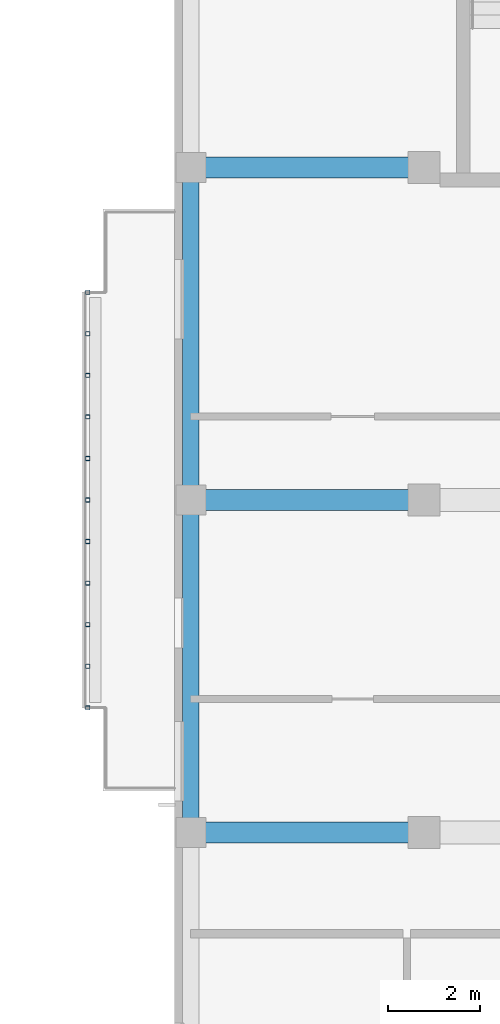
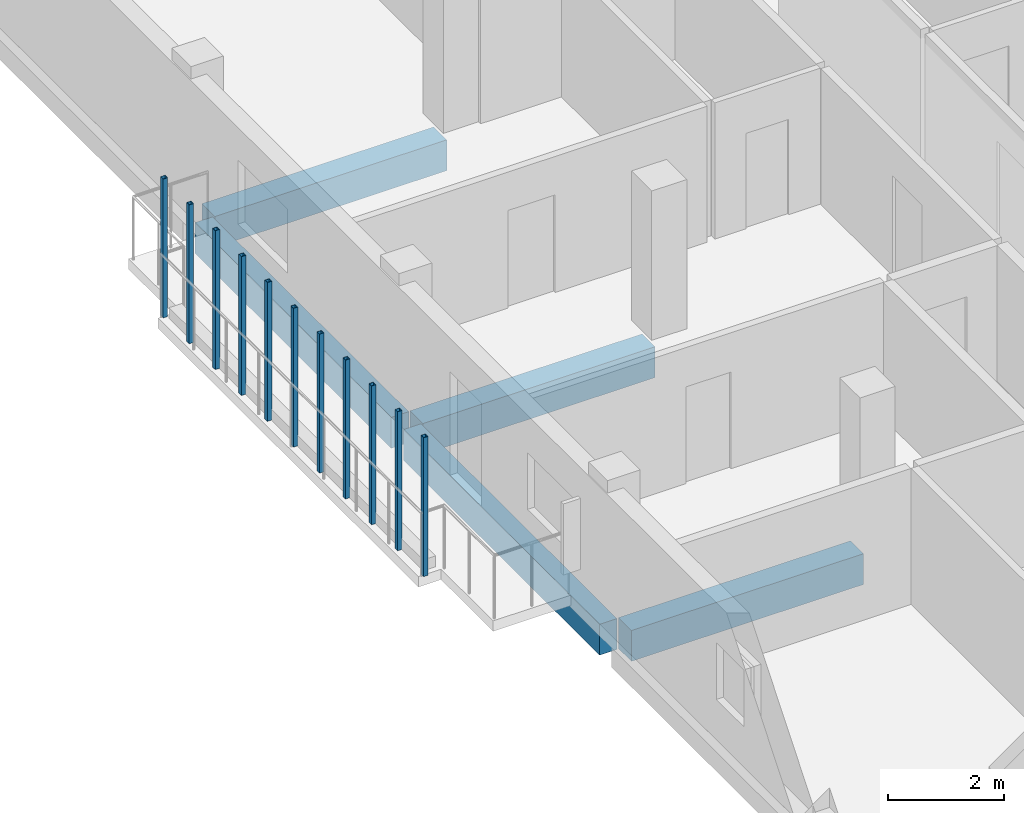
# One storey, part 19 of 51: 11 members, 5 beams.
"""IFC4 building model written with IfcOpenShell, lengths in metres."""

from ifc_helpers import new_model, si_unit, derived_unit, direction, frame, origin, origin_2d, place, context, subcontext, project, spatial, rectangle, hollow_rectangle, extrude, material, material_profile, profile_set, type_object, element, save


model = new_model("IFC4")

# Units and contexts
model_context = context("Model", 3, precision=1e-05, world=origin(), true_north=direction((0.0, 1.0)))
body_context = subcontext(model_context, "Body", "Model", "MODEL_VIEW")
ifc_project = project(units=[si_unit("LENGTHUNIT", "METRE"), si_unit("AREAUNIT", "SQUARE_METRE"), si_unit("VOLUMEUNIT", "CUBIC_METRE"), si_unit("PLANEANGLEUNIT", "RADIAN"), si_unit("MASSUNIT", "GRAM", prefix="KILO"), derived_unit("THERMALTRANSMITTANCEUNIT", [(si_unit("MASSUNIT", "GRAM", prefix="KILO"), 1), (si_unit("TIMEUNIT", "SECOND"), -3), (si_unit("THERMODYNAMICTEMPERATUREUNIT", "KELVIN"), -1)])], contexts=[model_context])

# Site, building, storey
site_placement = place(None, origin())
site = spatial("IfcSite", under=ifc_project, at=site_placement, CompositionType="ELEMENT")
building_placement = place(site_placement, origin())
building = spatial("IfcBuilding", under=site, at=building_placement, Name="Ochrekiln Boulevard Commons", CompositionType="ELEMENT")
storey_placement = place(building_placement, frame((0.0, 0.0, 18.375)))
storey = spatial("IfcBuildingStorey", under=building, at=storey_placement, Name="L05", CompositionType="ELEMENT", Elevation=18.375)

# Beams
ifc_material_1 = material(Name="Concrete C35/45", Category="concrete")
ifc_material_profile_1 = material_profile(ifc_material_1, rectangle(XDim=0.449951171875, YDim=0.64990234375, at=origin_2d()), Name="RC-BM-450x650")
ifc_profile_set_1 = profile_set([ifc_material_profile_1], Name="Concrete C35/45")
beam_type_1 = type_object("IfcBeamType", Name="BM-RC-450x650", PredefinedType="BEAM", material=ifc_profile_set_1)
for number, where, z_axis, x_axis, name in (
    (1, (151.760009765625, 97.199951171875, -0.5849609375), (1.0, 0.0, 0.0), (0.0, 1.0, 0.0), "Block B L05 Beam B-4565 X12"),
    (2, (151.760009765625, 104.39990234375, -0.5849609375), (1.0, 0.0, 0.0), (0.0, 1.0, 0.0), "Block B L05 Beam B-4565 X15"),
    (3, (151.760009765625, 111.60009765625, -0.5849609375), (1.0, 0.0, 0.0), (0.0, 1.0, 0.0), "Block B L05 Beam B-4565 X18"),
):
    element("IfcBeam", number, at=place(storey_placement, frame(where, z_axis=z_axis, x_axis=x_axis)), inside=storey, type_object=beam_type_1, Name=name, PredefinedType="BEAM", context=body_context, shape_type="SweptSolid", body=[
        extrude(rectangle(XDim=0.449951171875, YDim=0.64990234375, at=origin_2d()), origin(), (0.0, 0.0, 1.0), 4.6298828125),
    ])

# Members
ifc_material_2 = material(Name="Steel A500 Grade C", Category="steel")
ifc_material_profile_2 = material_profile(ifc_material_2, hollow_rectangle(XDim=0.090087890625, YDim=0.090087890625, WallThickness=0.00634765625, at=origin_2d()), Name="HSS90X90X6.4")
ifc_profile_set_2 = profile_set([ifc_material_profile_2], Name="Steel A500 Grade C")
member_type = type_object("IfcMemberType", Name="MEM-PST-HSS90", PredefinedType="POST", material=ifc_profile_set_2)
for number, where, z_axis, x_axis, name in (
    (4, (149.320068359375, 99.89990234375, 0.0), (0.0, 0.0, 1.0), (1.0, 0.0, 0.0), "Block B L05 Slim Vertical Balcony Post (254)"),
    (5, (149.320068359375, 100.800048828125, 0.0), (0.0, 0.0, 1.0), (1.0, 0.0, 0.0), "Block B L05 Slim Vertical Balcony Post (255)"),
    (6, (149.320068359375, 101.699951171875, 0.0), (0.0, 0.0, 1.0), (1.0, 0.0, 0.0), "Block B L05 Slim Vertical Balcony Post (256)"),
    (7, (149.320068359375, 102.60009765625, 0.0), (0.0, 0.0, 1.0), (1.0, 0.0, 0.0), "Block B L05 Slim Vertical Balcony Post (257)"),
    (8, (149.320068359375, 103.5, 0.0), (0.0, 0.0, 1.0), (1.0, 0.0, 0.0), "Block B L05 Slim Vertical Balcony Post (258)"),
    (9, (149.320068359375, 104.39990234375, 0.0), (0.0, 0.0, 1.0), (1.0, 0.0, 0.0), "Block B L05 Slim Vertical Balcony Post (259)"),
    (10, (149.320068359375, 105.300048828125, 0.0), (0.0, 0.0, 1.0), (1.0, 0.0, 0.0), "Block B L05 Slim Vertical Balcony Post (260)"),
    (11, (149.320068359375, 106.199951171875, 0.0), (0.0, 0.0, 1.0), (1.0, 0.0, 0.0), "Block B L05 Slim Vertical Balcony Post (261)"),
    (12, (149.320068359375, 107.10009765625, 0.0), (0.0, 0.0, 1.0), (1.0, 0.0, 0.0), "Block B L05 Slim Vertical Balcony Post (262)"),
    (13, (149.320068359375, 108.0, 0.0), (0.0, 0.0, 1.0), (1.0, 0.0, 0.0), "Block B L05 Slim Vertical Balcony Post (263)"),
    (14, (149.320068359375, 108.89990234375, 0.0), (0.0, 0.0, 1.0), (1.0, 0.0, 0.0), "Block B L05 Slim Vertical Balcony Post (264)"),
):
    element("IfcMember", number, at=place(storey_placement, frame(where, z_axis=z_axis, x_axis=x_axis)), inside=storey, type_object=member_type, Name=name, PredefinedType="POST", context=body_context, shape_type="SweptSolid", body=[
        extrude(hollow_rectangle(XDim=0.090087890625, YDim=0.090087890625, WallThickness=0.00634765625, at=origin_2d()), origin(), (0.0, 0.0, 1.0), 2.929931640625),
    ])

# Beams
ifc_material_3 = material(Name="Concrete C40/50", Category="concrete")
ifc_material_profile_3 = material_profile(ifc_material_3, rectangle(XDim=0.35009765625, YDim=0.64990234375, at=origin_2d()), Name="RC-SPN-350x650")
ifc_profile_set_3 = profile_set([ifc_material_profile_3], Name="Concrete C40/50")
beam_type_2 = type_object("IfcBeamType", Name="SPN-RC-350x650", PredefinedType="SPANDREL", material=ifc_profile_set_3)
beam_1_placement = place(storey_placement, frame((151.550048828125, 97.409912109375, -0.5849609375), z_axis=(0.0, 1.0, 0.0), x_axis=(-1.0, 0.0, 0.0)))
element("IfcBeam", 15, at=beam_1_placement, inside=storey, type_object=beam_type_2, Name="Block B L05 Beam SP-3565 Y27", PredefinedType="SPANDREL", context=body_context, shape_type="SweptSolid", body=[
    extrude(rectangle(XDim=0.35009765625, YDim=0.64990234375, at=origin_2d()), origin(), (0.0, 0.0, 1.0), 6.780029296875),
])
beam_2_placement = place(storey_placement, frame((151.550048828125, 104.610107421875, -0.5849609375), z_axis=(0.0, 1.0, 0.0), x_axis=(-1.0, 0.0, 0.0)))
element("IfcBeam", 16, at=beam_2_placement, inside=storey, type_object=beam_type_2, Name="Block B L05 Beam SP-3565 Y28", PredefinedType="SPANDREL", context=body_context, shape_type="SweptSolid", body=[
    extrude(rectangle(XDim=0.35009765625, YDim=0.64990234375, at=origin_2d()), origin(), (0.0, 0.0, 1.0), 6.77978515625),
])

save(model, "model.ifc")
